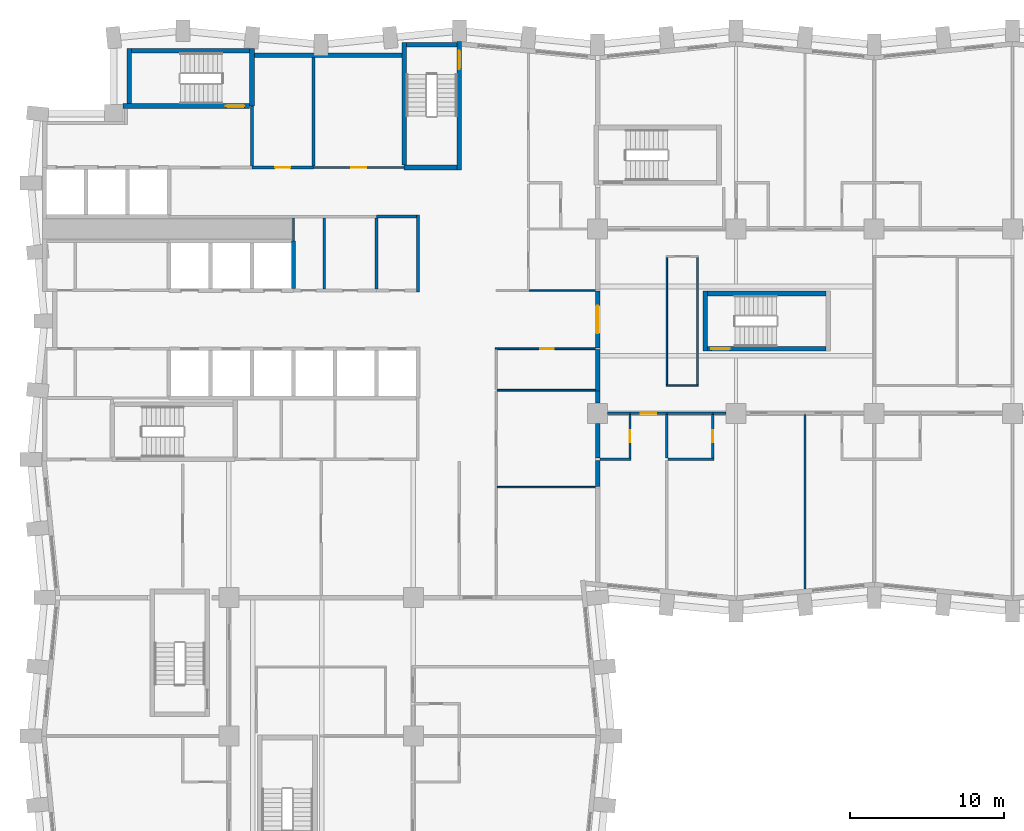
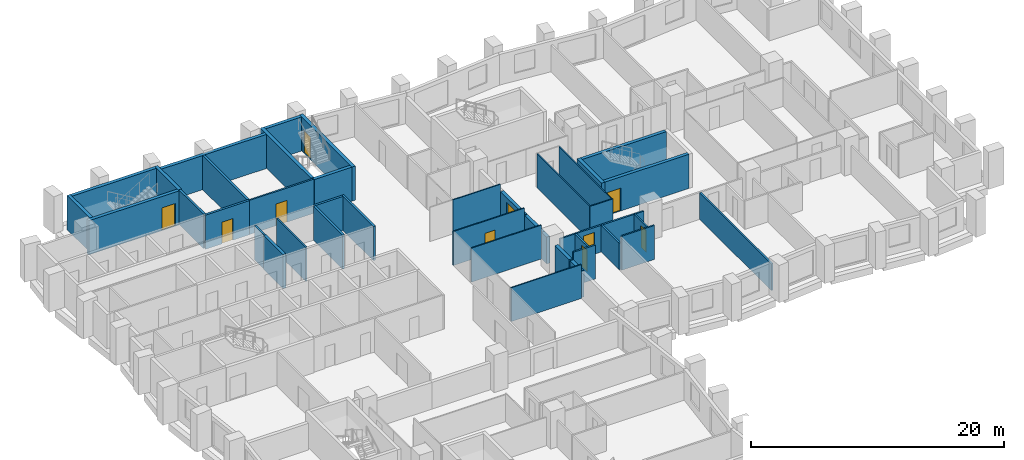
# One storey, part 7 of 13: 44 walls, 10 doors, 10 openings.
"""IFC4 building model written with IfcOpenShell, lengths in metres."""

from ifc_helpers import new_model, si_unit, direction, frame, frame_2d, origin, place, context, subcontext, project, spatial, rectangle, extrude, material, layer, layer_set, type_object, element, fill, save


model = new_model("IFC4")

# Units and contexts
model_context = context("Model", 3, precision=1e-05, world=origin(), true_north=direction((0.0, 1.0)))
body_context = subcontext(model_context, "Body", "Model", "MODEL_VIEW")
ifc_project = project(units=[si_unit("LENGTHUNIT", "METRE"), si_unit("AREAUNIT", "SQUARE_METRE"), si_unit("VOLUMEUNIT", "CUBIC_METRE"), si_unit("PLANEANGLEUNIT", "RADIAN"), si_unit("MASSUNIT", "GRAM", prefix="KILO")], contexts=[model_context])

# Site, building, storey
site_placement = place(None, origin())
site = spatial("IfcSite", under=ifc_project, at=site_placement, CompositionType="ELEMENT")
building_placement = place(site_placement, origin())
building = spatial("IfcBuilding", under=site, at=building_placement, Name="Brondeck Convention Tower", CompositionType="ELEMENT")
storey_placement = place(building_placement, frame((0.0, 0.0, 48.300048828125)))
storey = spatial("IfcBuildingStorey", under=building, at=storey_placement, Name="L09", CompositionType="ELEMENT", Elevation=48.300048828125)

# Walls
ifc_material_1 = material(Name="Concrete compartment wall C30/37", Category="concrete")
ifc_layer_1 = layer(ifc_material_1, 0.300048828125)
ifc_layer_set_1 = layer_set([ifc_layer_1], Name="Compartment wall 300")
wall_type_1 = type_object("IfcWallType", Name="Compartment wall 300", PredefinedType="PARTITIONING", material=ifc_layer_set_1)
wall_1_placement = place(storey_placement, frame((36.0, 35.925048828125, 0.0), z_axis=(0.0, 0.0, 1.0), x_axis=(0.0, -1.0, 0.0)))
element("IfcWall", 1, at=wall_1_placement, inside=storey, type_object=wall_type_1, Name="FLR-L09-W048", PredefinedType="PARTITIONING", context=body_context, shape_type="SweptSolid", body=[
    extrude(rectangle(XDim=1.675048828125, YDim=0.300048828125, at=frame_2d((0.83740234375, 0.0))), origin(), (0.0, 0.0, 1.0), 2.579833984375),
])
wall_2_placement = place(storey_placement, frame((36.0, 38.344970703125, 0.0), z_axis=(0.0, 0.0, 1.0), x_axis=(0.0, -1.0, 0.0)))
element("IfcWall", 2, at=wall_2_placement, inside=storey, type_object=wall_type_1, Name="FLR-L09-W060", PredefinedType="PARTITIONING", context=body_context, shape_type="SweptSolid", body=[
    extrude(rectangle(XDim=2.27001953125, YDim=0.300048828125, at=frame_2d((1.135009765625, 0.0))), origin(), (0.0, 0.0, 1.0), 2.579833984375),
])
wall_3_placement = place(storey_placement, frame((36.0, 40.449951171875, 0.0), z_axis=(0.0, 0.0, 1.0), x_axis=(0.0, -1.0, 0.0)))
element("IfcWall", 3, at=wall_3_placement, inside=storey, type_object=wall_type_1, Name="FLR-L09-W079", PredefinedType="PARTITIONING", context=body_context, shape_type="SweptSolid", body=[
    extrude(rectangle(XDim=0.794921875, YDim=0.300048828125, at=frame_2d((0.3974609375, 0.0))), origin(), (0.0, 0.0, 1.0), 2.579833984375),
])
wall_4_placement = place(storey_placement, frame((36.0, 43.14990234375, 0.0), z_axis=(0.0, 0.0, 1.0), x_axis=(0.0, -1.0, 0.0)))
element("IfcWall", 4, at=wall_4_placement, inside=storey, type_object=wall_type_1, Name="FLR-L09-W086", PredefinedType="PARTITIONING", context=body_context, shape_type="SweptSolid", body=[
    extrude(rectangle(XDim=2.69482421875, YDim=0.300048828125, at=frame_2d((1.347412109375, 0.0))), origin(), (0.0, 0.0, 1.0), 2.579833984375),
])

# Wall, opening, door
wall_5_placement = place(storey_placement, frame((36.0, 46.949951171875, 0.0), z_axis=(0.0, 0.0, 1.0), x_axis=(0.0, -1.0, 0.0)))
wall_5 = element("IfcWall", 5, at=wall_5_placement, inside=storey, type_object=wall_type_1, Name="FLR-L09-W090", PredefinedType="PARTITIONING", context=body_context, shape_type="SweptSolid", body=[
    extrude(rectangle(XDim=3.699951171875, YDim=0.300048828125, at=frame_2d((1.85009765625, 0.0))), origin(), (0.0, 0.0, 1.0), 2.579833984375),
])
opening_1_placement = place(wall_5_placement, frame((0.949951171875, 0.0, 0.0)))
opening_1 = element("IfcOpeningElement", 6, at=opening_1_placement, cuts=wall_5, Name="Opening H2-042", PredefinedType="OPENING", context=body_context, shape_type="SweptSolid", body=[
    extrude(rectangle(XDim=1.800048828125, YDim=2.10009765625, at=frame_2d((0.89990234375, 1.050048828125))), frame((0.0, 0.159912109375, 0.0), z_axis=(0.0, -1.0, 0.0), x_axis=(1.0, 0.0, 0.0)), (0.0, 0.0, 1.0), 0.320068359375),
])
ifc_material_2 = material(Name="Steel fire door pair", Category="steel")
door_type_1 = type_object("IfcDoorType", Name="Fire door pair 1800", OperationType="DOUBLE_DOOR_SINGLE_SWING", PredefinedType="DOOR", material=ifc_material_2)
door_1_placement = place(opening_1_placement, origin())
door_1 = element("IfcDoor", 7, at=door_1_placement, inside=storey, type_object=door_type_1, Name="Door H2-042", OperationType="DOUBLE_DOOR_SINGLE_SWING", OverallHeight=2.10009765625, OverallWidth=1.800048828125, PredefinedType="DOOR", context=body_context, shape_type="SweptSolid", body=[
    extrude(rectangle(XDim=1.800048828125, YDim=2.10009765625, at=frame_2d((0.89990234375, 1.050048828125))), frame((0.0, 0.02490234375, 0.0), z_axis=(0.0, -1.0, 0.0), x_axis=(1.0, 0.0, 0.0)), (0.0, 0.0, 1.0), 0.050048828125),
])
fill(opening_1, door_1)

# Walls
ifc_material_3 = material(Name="Concrete C80/95", Category="concrete")
ifc_layer_2 = layer(ifc_material_3, 0.199951171875)
ifc_layer_set_2 = layer_set([ifc_layer_2], Name="Core beam-seat wall 200 Concrete C80/95")
wall_type_2 = type_object("IfcWallType", Name="Core beam-seat wall 200 Concrete C80/95", PredefinedType="SHEAR", material=ifc_layer_set_2)
wall_6_placement = place(storey_placement, frame((24.300048828125, 46.89990234375, 0.0), z_axis=(0.0, 0.0, 1.0), x_axis=(0.0, 1.0, 0.0)))
element("IfcWall", 8, at=wall_6_placement, inside=storey, type_object=wall_type_2, Name="L09 core wall", PredefinedType="SHEAR", context=body_context, shape_type="SweptSolid", body=[
    extrude(rectangle(XDim=5.0, YDim=0.199951171875, at=frame_2d((2.5, 0.0))), origin(), (0.0, 0.0, 1.0), 3.300048828125),
])
ifc_layer_3 = layer(ifc_material_3, 0.300048828125)
ifc_layer_set_3 = layer_set([ifc_layer_3], Name="Core outer wall 300 Concrete C80/95")
wall_type_3 = type_object("IfcWallType", Name="Core outer wall 300 Concrete C80/95", PredefinedType="SHEAR", material=ifc_layer_set_3)
wall_7_placement = place(storey_placement, frame((13.64990234375, 62.300048828125, 0.0), z_axis=(0.0, 0.0, 1.0), x_axis=(1.0, 0.0, 0.0)))
element("IfcWall", 9, at=wall_7_placement, inside=storey, type_object=wall_type_3, Name="L09 core wall", PredefinedType="SHEAR", context=body_context, shape_type="SweptSolid", body=[
    extrude(rectangle(XDim=9.60009765625, YDim=0.300048828125, at=frame_2d((4.800048828125, 0.0))), origin(), (0.0, 0.0, 1.0), 3.300048828125),
])

# Wall, opening, door
ifc_material_4 = material(Name="Fire-rated gypsum board partition")
ifc_layer_4 = layer(ifc_material_4, 0.14990234375)
ifc_layer_set_4 = layer_set([ifc_layer_4], Name="Core partition 150 EI 60")
wall_type_4 = type_object("IfcWallType", Name="Core partition 150 EI 60", PredefinedType="PARTITIONING", material=ifc_layer_set_4)
wall_8_placement = place(storey_placement, frame((17.5, 55.0, 0.0), z_axis=(0.0, 0.0, 1.0), x_axis=(1.0, 0.0, 0.0)))
wall_8 = element("IfcWall", 10, at=wall_8_placement, inside=storey, type_object=wall_type_4, Name="L09 core wall", PredefinedType="PARTITIONING", context=body_context, shape_type="SweptSolid", body=[
    extrude(rectangle(XDim=5.89990234375, YDim=0.14990234375, at=frame_2d((2.949951171875, 0.0))), origin(), (0.0, 0.0, 1.0), 3.300048828125),
])
opening_2_placement = place(wall_8_placement, frame((2.449951171875, 0.0, 0.0)))
opening_2 = element("IfcOpeningElement", 11, at=opening_2_placement, cuts=wall_8, Name="Opening C09-14", PredefinedType="OPENING", context=body_context, shape_type="SweptSolid", body=[
    extrude(rectangle(XDim=1.0, YDim=2.10009765625, at=frame_2d((0.5, 1.050048828125))), frame((0.0, 0.0849609375, 0.0), z_axis=(0.0, -1.0, 0.0), x_axis=(1.0, 0.0, 0.0)), (0.0, 0.0, 1.0), 0.169921875),
])
ifc_material_5 = material(Name="Steel fire door", Category="steel")
door_type_2 = type_object("IfcDoorType", Name="Room door 1000x2100 EI 60", OperationType="NOTDEFINED", PredefinedType="DOOR", material=ifc_material_5)
door_2_placement = place(opening_2_placement, origin())
door_2 = element("IfcDoor", 12, at=door_2_placement, inside=storey, type_object=door_type_2, Name="L09 Room door NE-2", OperationType="SINGLE_SWING_RIGHT", OverallHeight=2.10009765625, OverallWidth=1.0, PredefinedType="DOOR", context=body_context, shape_type="SweptSolid", body=[
    extrude(rectangle(XDim=1.0, YDim=2.10009765625, at=frame_2d((0.5, 1.050048828125))), frame((0.0, 0.02490234375, 0.0), z_axis=(0.0, -1.0, 0.0), x_axis=(1.0, 0.0, 0.0)), (0.0, 0.0, 1.0), 0.050048828125),
])
fill(opening_2, door_2)

# Walls
wall_9_placement = place(storey_placement, frame((16.199951171875, 50.199951171875, 0.0), z_axis=(0.0, 0.0, 1.0), x_axis=(0.0, 1.0, 0.0)))
element("IfcWall", 13, at=wall_9_placement, inside=storey, type_object=wall_type_4, Name="L09 core wall", PredefinedType="PARTITIONING", context=body_context, shape_type="SweptSolid", body=[
    extrude(rectangle(XDim=1.525146484375, YDim=0.14990234375, at=frame_2d((0.7626953125, 0.0))), origin(), (0.0, 0.0, 1.0), 3.300048828125),
])
wall_10_placement = place(storey_placement, frame((18.199951171875, 47.10009765625, 0.0), z_axis=(0.0, 0.0, 1.0), x_axis=(0.0, 1.0, 0.0)))
element("IfcWall", 14, at=wall_10_placement, inside=storey, type_object=wall_type_4, Name="L09 core wall", PredefinedType="PARTITIONING", context=body_context, shape_type="SweptSolid", body=[
    extrude(rectangle(XDim=4.625, YDim=0.14990234375, at=frame_2d((2.3125, 0.0))), origin(), (0.0, 0.0, 1.0), 3.300048828125),
])
ifc_layer_5 = layer(ifc_material_4, 0.199951171875)
ifc_layer_set_5 = layer_set([ifc_layer_5], Name="Firefighting lobby wall 200 EI 120")
wall_type_5 = type_object("IfcWallType", Name="Firefighting lobby wall 200 EI 120", PredefinedType="PARTITIONING", material=ifc_layer_set_5)
wall_11_placement = place(storey_placement, frame((13.5, 55.10009765625, 0.0), z_axis=(0.0, 0.0, 1.0), x_axis=(0.0, 1.0, 0.0)))
element("IfcWall", 15, at=wall_11_placement, inside=storey, type_object=wall_type_5, Name="L09 core wall", PredefinedType="PARTITIONING", context=body_context, shape_type="SweptSolid", body=[
    extrude(rectangle(XDim=3.89990234375, YDim=0.199951171875, at=frame_2d((1.949951171875, 0.0))), origin(), (0.0, 0.0, 1.0), 3.300048828125),
])
ifc_material_6 = material(Name="Double gypsum board acoustic wall")
ifc_layer_6 = layer(ifc_material_6, 0.14990234375)
ifc_layer_set_6 = layer_set([ifc_layer_6], Name="Guest room party wall 150")
wall_type_6 = type_object("IfcWallType", Name="Guest room party wall 150", PredefinedType="PARTITIONING", material=ifc_layer_set_6)
wall_12_placement = place(storey_placement, frame((36.14990234375, 36.0, 0.0), z_axis=(0.0, 0.0, 1.0), x_axis=(1.0, 0.0, 0.0)))
element("IfcWall", 16, at=wall_12_placement, inside=storey, type_object=wall_type_6, Name="FLR-L09-W051", PredefinedType="PARTITIONING", context=body_context, shape_type="SweptSolid", body=[
    extrude(rectangle(XDim=2.025146484375, YDim=0.14990234375, at=frame_2d((1.0126953125, 0.0))), origin(), (0.0, 0.0, 1.0), 3.280029296875),
])
wall_13_placement = place(storey_placement, frame((40.574951171875, 36.0, 0.0), z_axis=(0.0, 0.0, 1.0), x_axis=(1.0, 0.0, 0.0)))
element("IfcWall", 17, at=wall_13_placement, inside=storey, type_object=wall_type_6, Name="FLR-L09-W052", PredefinedType="PARTITIONING", context=body_context, shape_type="SweptSolid", body=[
    extrude(rectangle(XDim=3.0, YDim=0.14990234375, at=frame_2d((1.5, 0.0))), origin(), (0.0, 0.0, 1.0), 3.280029296875),
])

# Wall, opening, door
wall_14_placement = place(storey_placement, frame((38.10009765625, 36.074951171875, 0.0), z_axis=(0.0, 0.0, 1.0), x_axis=(0.0, 1.0, 0.0)))
wall_14 = element("IfcWall", 18, at=wall_14_placement, inside=storey, type_object=wall_type_6, Name="FLR-L09-W056", PredefinedType="PARTITIONING", context=body_context, shape_type="SweptSolid", body=[
    extrude(rectangle(XDim=2.85009765625, YDim=0.14990234375, at=frame_2d((1.425048828125, 0.0))), origin(), (0.0, 0.0, 1.0), 2.579833984375),
])
opening_3_placement = place(wall_14_placement, frame((1.02490234375, 0.0, 0.0)))
opening_3 = element("IfcOpeningElement", 19, at=opening_3_placement, cuts=wall_14, Name="Opening H2-009", PredefinedType="OPENING", context=body_context, shape_type="SweptSolid", body=[
    extrude(rectangle(XDim=0.800048828125, YDim=2.10009765625, at=frame_2d((0.39990234375, 1.050048828125))), frame((0.0, 0.0849609375, 0.0), z_axis=(0.0, -1.0, 0.0), x_axis=(1.0, 0.0, 0.0)), (0.0, 0.0, 1.0), 0.169921875),
])
ifc_material_7 = material(Name="Solid timber door leaf", Category="wood")
door_type_3 = type_object("IfcDoorType", Name="En-suite door 800", OperationType="NOTDEFINED", PredefinedType="DOOR", material=ifc_material_7)
door_3_placement = place(opening_3_placement, origin())
door_3 = element("IfcDoor", 20, at=door_3_placement, inside=storey, type_object=door_type_3, Name="Door H2-009", OperationType="SINGLE_SWING_LEFT", OverallHeight=2.10009765625, OverallWidth=0.800048828125, PredefinedType="DOOR", context=body_context, shape_type="SweptSolid", body=[
    extrude(rectangle(XDim=0.800048828125, YDim=2.10009765625, at=frame_2d((0.39990234375, 1.050048828125))), frame((0.0, 0.02490234375, 0.0), z_axis=(0.0, -1.0, 0.0), x_axis=(1.0, 0.0, 0.0)), (0.0, 0.0, 1.0), 0.050048828125),
])
fill(opening_3, door_3)

wall_15_placement = place(storey_placement, frame((43.5, 36.074951171875, 0.0), z_axis=(0.0, 0.0, 1.0), x_axis=(0.0, 1.0, 0.0)))
wall_15 = element("IfcWall", 21, at=wall_15_placement, inside=storey, type_object=wall_type_6, Name="FLR-L09-W057", PredefinedType="PARTITIONING", context=body_context, shape_type="SweptSolid", body=[
    extrude(rectangle(XDim=2.85009765625, YDim=0.14990234375, at=frame_2d((1.425048828125, 0.0))), origin(), (0.0, 0.0, 1.0), 2.579833984375),
])
opening_4_placement = place(wall_15_placement, frame((1.02490234375, 0.0, 0.0)))
opening_4 = element("IfcOpeningElement", 22, at=opening_4_placement, cuts=wall_15, Name="Opening H2-011", PredefinedType="OPENING", context=body_context, shape_type="SweptSolid", body=[
    extrude(rectangle(XDim=0.800048828125, YDim=2.10009765625, at=frame_2d((0.39990234375, 1.050048828125))), frame((0.0, 0.0849609375, 0.0), z_axis=(0.0, -1.0, 0.0), x_axis=(1.0, 0.0, 0.0)), (0.0, 0.0, 1.0), 0.169921875),
])
door_4_placement = place(opening_4_placement, origin())
door_4 = element("IfcDoor", 23, at=door_4_placement, inside=storey, type_object=door_type_3, Name="Door H2-011", OperationType="SINGLE_SWING_RIGHT", OverallHeight=2.10009765625, OverallWidth=0.800048828125, PredefinedType="DOOR", context=body_context, shape_type="SweptSolid", body=[
    extrude(rectangle(XDim=0.800048828125, YDim=2.10009765625, at=frame_2d((0.39990234375, 1.050048828125))), frame((0.0, 0.02490234375, 0.0), z_axis=(0.0, -1.0, 0.0), x_axis=(1.0, 0.0, 0.0)), (0.0, 0.0, 1.0), 0.050048828125),
])
fill(opening_4, door_4)

# Walls
wall_16_placement = place(storey_placement, frame((40.5, 38.925048828125, 0.0), z_axis=(0.0, 0.0, 1.0), x_axis=(0.0, -1.0, 0.0)))
element("IfcWall", 24, at=wall_16_placement, inside=storey, type_object=wall_type_6, Name="FLR-L09-W063", PredefinedType="PARTITIONING", context=body_context, shape_type="SweptSolid", body=[
    extrude(rectangle(XDim=2.85009765625, YDim=0.14990234375, at=frame_2d((1.425048828125, 0.0))), origin(), (0.0, 0.0, 1.0), 2.579833984375),
])
wall_17_placement = place(storey_placement, frame((49.5, 38.925048828125, 0.0), z_axis=(0.0, 0.0, 1.0), x_axis=(0.0, -1.0, 0.0)))
element("IfcWall", 25, at=wall_17_placement, inside=storey, type_object=wall_type_6, Name="FLR-L09-W064", PredefinedType="PARTITIONING", context=body_context, shape_type="SweptSolid", body=[
    extrude(rectangle(XDim=11.35009765625, YDim=0.14990234375, at=frame_2d((5.675048828125, 0.0))), origin(), (0.0, 0.0, 1.0), 2.579833984375),
])
wall_18_placement = place(storey_placement, frame((38.10009765625, 39.0, 0.0), z_axis=(0.0, 0.0, 1.0), x_axis=(-1.0, 0.0, 0.0)))
element("IfcWall", 26, at=wall_18_placement, inside=storey, type_object=wall_type_6, Name="FLR-L09-W067", PredefinedType="PARTITIONING", context=body_context, shape_type="SweptSolid", body=[
    extrude(rectangle(XDim=1.445068359375, YDim=0.14990234375, at=frame_2d((0.72265625, 0.0))), origin(), (0.0, 0.0, 1.0), 2.579833984375),
])

# Wall, opening, door
wall_19_placement = place(storey_placement, frame((40.5, 39.0, 0.0), z_axis=(0.0, 0.0, 1.0), x_axis=(-1.0, 0.0, 0.0)))
wall_19 = element("IfcWall", 27, at=wall_19_placement, inside=storey, type_object=wall_type_6, Name="FLR-L09-W068", PredefinedType="PARTITIONING", context=body_context, shape_type="SweptSolid", body=[
    extrude(rectangle(XDim=2.39990234375, YDim=0.14990234375, at=frame_2d((1.199951171875, 0.0))), origin(), (0.0, 0.0, 1.0), 2.579833984375),
])
opening_5_placement = place(wall_19_placement, frame((0.699951171875, 0.0, 0.0)))
opening_5 = element("IfcOpeningElement", 28, at=opening_5_placement, cuts=wall_19, Name="Opening H2-008", PredefinedType="OPENING", context=body_context, shape_type="SweptSolid", body=[
    extrude(rectangle(XDim=1.0, YDim=2.10009765625, at=frame_2d((0.5, 1.050048828125))), frame((0.0, 0.0849609375, 0.0), z_axis=(0.0, -1.0, 0.0), x_axis=(1.0, 0.0, 0.0)), (0.0, 0.0, 1.0), 0.169921875),
])
ifc_material_8 = material(Name="Solid timber fire door leaf", Category="wood")
door_type_4 = type_object("IfcDoorType", Name="Guest room door 1000", OperationType="NOTDEFINED", PredefinedType="DOOR", material=ifc_material_8)
door_5_placement = place(opening_5_placement, origin())
door_5 = element("IfcDoor", 29, at=door_5_placement, inside=storey, type_object=door_type_4, Name="Door H2-008", OperationType="SINGLE_SWING_LEFT", OverallHeight=2.10009765625, OverallWidth=1.0, PredefinedType="DOOR", context=body_context, shape_type="SweptSolid", body=[
    extrude(rectangle(XDim=1.0, YDim=2.10009765625, at=frame_2d((0.5, 1.050048828125))), frame((0.0, 0.02490234375, 0.0), z_axis=(0.0, -1.0, 0.0), x_axis=(1.0, 0.0, 0.0)), (0.0, 0.0, 1.0), 0.050048828125),
])
fill(opening_5, door_5)

# Walls
wall_20_placement = place(storey_placement, frame((43.5, 39.0, 0.0), z_axis=(0.0, 0.0, 1.0), x_axis=(-1.0, 0.0, 0.0)))
element("IfcWall", 30, at=wall_20_placement, inside=storey, type_object=wall_type_6, Name="FLR-L09-W069", PredefinedType="PARTITIONING", context=body_context, shape_type="SweptSolid", body=[
    extrude(rectangle(XDim=3.0, YDim=0.14990234375, at=frame_2d((1.5, 0.0))), origin(), (0.0, 0.0, 1.0), 2.579833984375),
])
wall_21_placement = place(storey_placement, frame((44.344970703125, 39.0, 0.0), z_axis=(0.0, 0.0, 1.0), x_axis=(-1.0, 0.0, 0.0)))
element("IfcWall", 31, at=wall_21_placement, inside=storey, type_object=wall_type_6, Name="FLR-L09-W070", PredefinedType="PARTITIONING", context=body_context, shape_type="SweptSolid", body=[
    extrude(rectangle(XDim=0.844970703125, YDim=0.14990234375, at=frame_2d((0.42236328125, 0.0))), origin(), (0.0, 0.0, 1.0), 2.579833984375),
])
ifc_layer_7 = layer(ifc_material_3, 0.25)
ifc_layer_set_7 = layer_set([ifc_layer_7], Name="Lift shaft wall 250 Concrete C80/95")
wall_type_7 = type_object("IfcWallType", Name="Lift shaft wall 250 Concrete C80/95", PredefinedType="SHEAR", material=ifc_layer_set_7)
wall_22_placement = place(storey_placement, frame((16.199951171875, 47.125, 0.0), z_axis=(0.0, 0.0, 1.0), x_axis=(0.0, 1.0, 0.0)))
element("IfcWall", 32, at=wall_22_placement, inside=storey, type_object=wall_type_7, Name="L09 core wall", PredefinedType="SHEAR", context=body_context, shape_type="SweptSolid", body=[
    extrude(rectangle(XDim=3.074951171875, YDim=0.25, at=frame_2d((1.53759765625, 0.0))), origin(), (0.0, 0.0, 1.0), 3.300048828125),
])
ifc_layer_8 = layer(ifc_material_4, 0.199951171875)
ifc_layer_set_8 = layer_set([ifc_layer_8], Name="Riser wall 200 EI 120")
wall_type_8 = type_object("IfcWallType", Name="Riser wall 200 EI 120", PredefinedType="PARTITIONING", material=ifc_layer_set_8)
wall_23_placement = place(storey_placement, frame((21.60009765625, 51.800048828125, 0.0), z_axis=(0.0, 0.0, 1.0), x_axis=(1.0, 0.0, 0.0)))
element("IfcWall", 33, at=wall_23_placement, inside=storey, type_object=wall_type_8, Name="L09 core wall", PredefinedType="PARTITIONING", context=body_context, shape_type="SweptSolid", body=[
    extrude(rectangle(XDim=2.599853515625, YDim=0.199951171875, at=frame_2d((1.2998046875, 0.0))), origin(), (0.0, 0.0, 1.0), 3.300048828125),
])

# Wall, opening, door
wall_24_placement = place(storey_placement, frame((13.5, 55.0, 0.0), z_axis=(0.0, 0.0, 1.0), x_axis=(1.0, 0.0, 0.0)))
wall_24 = element("IfcWall", 34, at=wall_24_placement, inside=storey, type_object=wall_type_8, Name="L09 core wall", PredefinedType="PARTITIONING", context=body_context, shape_type="SweptSolid", body=[
    extrude(rectangle(XDim=4.0, YDim=0.199951171875, at=frame_2d((2.0, 0.0))), origin(), (0.0, 0.0, 1.0), 3.300048828125),
])
opening_6_placement = place(wall_24_placement, frame((1.5, 0.0, 0.0)))
opening_6 = element("IfcOpeningElement", 35, at=opening_6_placement, cuts=wall_24, Name="Opening C09-13", PredefinedType="OPENING", context=body_context, shape_type="SweptSolid", body=[
    extrude(rectangle(XDim=1.0, YDim=2.10009765625, at=frame_2d((0.5, 1.050048828125))), frame((0.0, 0.10986328125, 0.0), z_axis=(0.0, -1.0, 0.0), x_axis=(1.0, 0.0, 0.0)), (0.0, 0.0, 1.0), 0.219970703125),
])
door_type_5 = type_object("IfcDoorType", Name="Riser door 1000x2100 EI 120", OperationType="NOTDEFINED", PredefinedType="DOOR", material=ifc_material_5)
door_6_placement = place(opening_6_placement, origin())
door_6 = element("IfcDoor", 36, at=door_6_placement, inside=storey, type_object=door_type_5, Name="L09 Riser door NE-1", OperationType="SINGLE_SWING_LEFT", OverallHeight=2.10009765625, OverallWidth=1.0, PredefinedType="DOOR", context=body_context, shape_type="SweptSolid", body=[
    extrude(rectangle(XDim=1.0, YDim=2.10009765625, at=frame_2d((0.5, 1.050048828125))), frame((0.0, 0.02490234375, 0.0), z_axis=(0.0, -1.0, 0.0), x_axis=(1.0, 0.0, 0.0)), (0.0, 0.0, 1.0), 0.050048828125),
])
fill(opening_6, door_6)

# Walls
wall_25_placement = place(storey_placement, frame((17.5, 55.10009765625, 0.0), z_axis=(0.0, 0.0, 1.0), x_axis=(0.0, 1.0, 0.0)))
element("IfcWall", 37, at=wall_25_placement, inside=storey, type_object=wall_type_8, Name="L09 core wall", PredefinedType="PARTITIONING", context=body_context, shape_type="SweptSolid", body=[
    extrude(rectangle(XDim=7.0498046875, YDim=0.199951171875, at=frame_2d((3.52490234375, 0.0))), origin(), (0.0, 0.0, 1.0), 3.300048828125),
])
wall_26_placement = place(storey_placement, frame((21.60009765625, 47.10009765625, 0.0), z_axis=(0.0, 0.0, 1.0), x_axis=(0.0, 1.0, 0.0)))
element("IfcWall", 38, at=wall_26_placement, inside=storey, type_object=wall_type_8, Name="L09 core wall", PredefinedType="PARTITIONING", context=body_context, shape_type="SweptSolid", body=[
    extrude(rectangle(XDim=4.599853515625, YDim=0.199951171875, at=frame_2d((2.2998046875, 0.0))), origin(), (0.0, 0.0, 1.0), 3.300048828125),
])
ifc_material_9 = material(Name="Gypsum board partition on steel studs", Category="steel")
ifc_layer_9 = layer(ifc_material_9, 0.10009765625)
ifc_layer_set_9 = layer_set([ifc_layer_9], Name="Room partition 100")
wall_type_9 = type_object("IfcWallType", Name="Room partition 100", PredefinedType="PARTITIONING", material=ifc_layer_set_9)
for number, where, z_axis, x_axis, name in (
    (39, (35.85009765625, 34.199951171875, 0.0), (0.0, 0.0, 1.0), (-1.0, 0.0, 0.0), "FLR-L09-W045"),
    (40, (35.85009765625, 40.5, 0.0), (0.0, 0.0, 1.0), (-1.0, 0.0, 0.0), "FLR-L09-W080"),
):
    element("IfcWall", number, at=place(storey_placement, frame(where, z_axis=z_axis, x_axis=x_axis)), inside=storey, type_object=wall_type_9, Name=name, PredefinedType="PARTITIONING", context=body_context, shape_type="SweptSolid", body=[
        extrude(rectangle(XDim=6.400146484375, YDim=0.10009765625, at=frame_2d((3.2001953125, 0.0))), origin(), (0.0, 0.0, 1.0), 3.280029296875),
    ])
wall_27_placement = place(storey_placement, frame((40.449951171875, 40.800048828125, 0.0), z_axis=(0.0, 0.0, 1.0), x_axis=(1.0, 0.0, 0.0)))
element("IfcWall", 41, at=wall_27_placement, inside=storey, type_object=wall_type_9, Name="FLR-L09-W081", PredefinedType="PARTITIONING", context=body_context, shape_type="SweptSolid", body=[
    extrude(rectangle(XDim=2.10009765625, YDim=0.10009765625, at=frame_2d((1.050048828125, 0.0))), origin(), (0.0, 0.0, 1.0), 3.280029296875),
])

# Wall, opening, door
wall_28_placement = place(storey_placement, frame((35.85009765625, 43.199951171875, 0.0), z_axis=(0.0, 0.0, 1.0), x_axis=(-1.0, 0.0, 0.0)))
wall_28 = element("IfcWall", 42, at=wall_28_placement, inside=storey, type_object=wall_type_9, Name="FLR-L09-W087", PredefinedType="PARTITIONING", context=body_context, shape_type="SweptSolid", body=[
    extrude(rectangle(XDim=6.5, YDim=0.10009765625, at=frame_2d((3.25, 0.0))), origin(), (0.0, 0.0, 1.0), 3.280029296875),
])
opening_7_placement = place(wall_28_placement, frame((2.699951171875, 0.0, 0.0)))
opening_7 = element("IfcOpeningElement", 43, at=opening_7_placement, cuts=wall_28, Name="Opening H2-036", PredefinedType="OPENING", context=body_context, shape_type="SweptSolid", body=[
    extrude(rectangle(XDim=0.89990234375, YDim=2.10009765625, at=frame_2d((0.449951171875, 1.050048828125))), frame((0.0, 0.06005859375, 0.0), z_axis=(0.0, -1.0, 0.0), x_axis=(1.0, 0.0, 0.0)), (0.0, 0.0, 1.0), 0.1201171875),
])
door_type_6 = type_object("IfcDoorType", Name="Single door 900", OperationType="NOTDEFINED", PredefinedType="DOOR", material=ifc_material_7)
door_7_placement = place(opening_7_placement, origin())
door_7 = element("IfcDoor", 44, at=door_7_placement, inside=storey, type_object=door_type_6, Name="Door H2-036", OperationType="SINGLE_SWING_LEFT", OverallHeight=2.10009765625, OverallWidth=0.89990234375, PredefinedType="DOOR", context=body_context, shape_type="SweptSolid", body=[
    extrude(rectangle(XDim=0.89990234375, YDim=2.10009765625, at=frame_2d((0.449951171875, 1.050048828125))), frame((0.0, 0.02490234375, 0.0), z_axis=(0.0, -1.0, 0.0), x_axis=(1.0, 0.0, 0.0)), (0.0, 0.0, 1.0), 0.050048828125),
])
fill(opening_7, door_7)

# Walls
wall_29_placement = place(storey_placement, frame((31.5, 47.0, 0.0), z_axis=(0.0, 0.0, 1.0), x_axis=(1.0, 0.0, 0.0)))
element("IfcWall", 45, at=wall_29_placement, inside=storey, type_object=wall_type_9, Name="FLR-L09-W092", PredefinedType="PARTITIONING", context=body_context, shape_type="SweptSolid", body=[
    extrude(rectangle(XDim=4.35009765625, YDim=0.10009765625, at=frame_2d((2.175048828125, 0.0))), origin(), (0.0, 0.0, 1.0), 3.280029296875),
])
for number, where, z_axis, x_axis, name in (
    (46, (40.5, 49.14990234375, 0.0), (0.0, 0.0, 1.0), (0.0, -1.0, 0.0), "FLR-L09-W094"),
    (47, (42.5, 49.14990234375, 0.0), (0.0, 0.0, 1.0), (0.0, -1.0, 0.0), "FLR-L09-W095"),
):
    element("IfcWall", number, at=place(storey_placement, frame(where, z_axis=z_axis, x_axis=x_axis)), inside=storey, type_object=wall_type_9, Name=name, PredefinedType="PARTITIONING", context=body_context, shape_type="SweptSolid", body=[
        extrude(rectangle(XDim=8.2998046875, YDim=0.10009765625, at=frame_2d((4.14990234375, 0.0))), origin(), (0.0, 0.0, 1.0), 3.280029296875),
    ])

# Wall, opening, door
ifc_layer_10 = layer(ifc_material_3, 0.300048828125)
ifc_layer_set_10 = layer_set([ifc_layer_10], Name="Stair enclosure wall 300 Concrete C80/95")
wall_type_10 = type_object("IfcWallType", Name="Stair enclosure wall 300 Concrete C80/95", PredefinedType="SHEAR", material=ifc_layer_set_10)
wall_30_placement = place(storey_placement, frame((43.14990234375, 43.199951171875, 0.0), z_axis=(0.0, 0.0, 1.0), x_axis=(1.0, 0.0, 0.0)))
wall_30 = element("IfcWall", 48, at=wall_30_placement, inside=storey, type_object=wall_type_10, Name="L09 core wall", PredefinedType="SHEAR", context=body_context, shape_type="SweptSolid", body=[
    extrude(rectangle(XDim=7.7001953125, YDim=0.300048828125, at=frame_2d((3.85009765625, 0.0))), origin(), (0.0, 0.0, 1.0), 3.300048828125),
])
opening_8_placement = place(wall_30_placement, frame((0.25, 0.0, 0.0)))
opening_8 = element("IfcOpeningElement", 49, at=opening_8_placement, cuts=wall_30, Name="Opening C09-19", PredefinedType="OPENING", context=body_context, shape_type="SweptSolid", body=[
    extrude(rectangle(XDim=1.199951171875, YDim=2.199951171875, at=frame_2d((0.60009765625, 1.10009765625))), frame((0.0, 0.159912109375, 0.0), z_axis=(0.0, -1.0, 0.0), x_axis=(1.0, 0.0, 0.0)), (0.0, 0.0, 1.0), 0.320068359375),
])
door_type_7 = type_object("IfcDoorType", Name="Stair door 1200x2200 EI 90", OperationType="NOTDEFINED", PredefinedType="DOOR", material=ifc_material_5)
door_8_placement = place(opening_8_placement, origin())
door_8 = element("IfcDoor", 50, at=door_8_placement, inside=storey, type_object=door_type_7, Name="L09 Stair door ST-AF", OperationType="SINGLE_SWING_RIGHT", OverallHeight=2.199951171875, OverallWidth=1.199951171875, PredefinedType="DOOR", context=body_context, shape_type="SweptSolid", body=[
    extrude(rectangle(XDim=1.199951171875, YDim=2.199951171875, at=frame_2d((0.60009765625, 1.10009765625))), frame((0.0, 0.02490234375, 0.0), z_axis=(0.0, -1.0, 0.0), x_axis=(1.0, 0.0, 0.0)), (0.0, 0.0, 1.0), 0.050048828125),
])
fill(opening_8, door_8)

# Walls
wall_31_placement = place(storey_placement, frame((43.14990234375, 46.800048828125, 0.0), z_axis=(0.0, 0.0, 1.0), x_axis=(1.0, 0.0, 0.0)))
element("IfcWall", 51, at=wall_31_placement, inside=storey, type_object=wall_type_10, Name="L09 core wall", PredefinedType="SHEAR", context=body_context, shape_type="SweptSolid", body=[
    extrude(rectangle(XDim=7.7001953125, YDim=0.300048828125, at=frame_2d((3.85009765625, 0.0))), origin(), (0.0, 0.0, 1.0), 3.300048828125),
])
wall_32_placement = place(storey_placement, frame((23.39990234375, 55.0, 0.0), z_axis=(0.0, 0.0, 1.0), x_axis=(1.0, 0.0, 0.0)))
element("IfcWall", 52, at=wall_32_placement, inside=storey, type_object=wall_type_10, Name="L09 core wall", PredefinedType="SHEAR", context=body_context, shape_type="SweptSolid", body=[
    extrude(rectangle(XDim=3.4501953125, YDim=0.300048828125, at=frame_2d((1.72509765625, 0.0))), origin(), (0.0, 0.0, 1.0), 3.300048828125),
])

# Wall, opening, door
wall_33_placement = place(storey_placement, frame((5.10009765625, 59.0, 0.0), z_axis=(0.0, 0.0, 1.0), x_axis=(1.0, 0.0, 0.0)))
wall_33 = element("IfcWall", 53, at=wall_33_placement, inside=storey, type_object=wall_type_10, Name="L09 core wall", PredefinedType="SHEAR", context=body_context, shape_type="SweptSolid", body=[
    extrude(rectangle(XDim=8.25, YDim=0.300048828125, at=frame_2d((4.125, 0.0))), origin(), (0.0, 0.0, 1.0), 3.300048828125),
])
opening_9_placement = place(wall_33_placement, frame((6.699951171875, 0.0, 0.0)))
opening_9 = element("IfcOpeningElement", 54, at=opening_9_placement, cuts=wall_33, Name="Opening C09-17", PredefinedType="OPENING", context=body_context, shape_type="SweptSolid", body=[
    extrude(rectangle(XDim=1.199951171875, YDim=2.199951171875, at=frame_2d((0.60009765625, 1.10009765625))), frame((0.0, 0.159912109375, 0.0), z_axis=(0.0, -1.0, 0.0), x_axis=(1.0, 0.0, 0.0)), (0.0, 0.0, 1.0), 0.320068359375),
])
door_type_8 = type_object("IfcDoorType", Name="Stair door 1200x2200 EI 120", OperationType="NOTDEFINED", PredefinedType="DOOR", material=ifc_material_5)
door_9_placement = place(opening_9_placement, origin())
door_9 = element("IfcDoor", 55, at=door_9_placement, inside=storey, type_object=door_type_8, Name="L09 Stair door ST-3", OperationType="SINGLE_SWING_RIGHT", OverallHeight=2.199951171875, OverallWidth=1.199951171875, PredefinedType="DOOR", context=body_context, shape_type="SweptSolid", body=[
    extrude(rectangle(XDim=1.199951171875, YDim=2.199951171875, at=frame_2d((0.60009765625, 1.10009765625))), frame((0.0, 0.02490234375, 0.0), z_axis=(0.0, -1.0, 0.0), x_axis=(1.0, 0.0, 0.0)), (0.0, 0.0, 1.0), 0.050048828125),
])
fill(opening_9, door_9)

# Walls
wall_34_placement = place(storey_placement, frame((5.64990234375, 62.60009765625, 0.0), z_axis=(0.0, 0.0, 1.0), x_axis=(1.0, 0.0, 0.0)))
element("IfcWall", 56, at=wall_34_placement, inside=storey, type_object=wall_type_10, Name="L09 core wall", PredefinedType="SHEAR", context=body_context, shape_type="SweptSolid", body=[
    extrude(rectangle(XDim=7.7001953125, YDim=0.300048828125, at=frame_2d((3.85009765625, 0.0))), origin(), (0.0, 0.0, 1.0), 3.300048828125),
])
wall_35_placement = place(storey_placement, frame((23.550048828125, 63.0, 0.0), z_axis=(0.0, 0.0, 1.0), x_axis=(1.0, 0.0, 0.0)))
element("IfcWall", 57, at=wall_35_placement, inside=storey, type_object=wall_type_10, Name="L09 core wall", PredefinedType="SHEAR", context=body_context, shape_type="SweptSolid", body=[
    extrude(rectangle(XDim=3.300048828125, YDim=0.300048828125, at=frame_2d((1.64990234375, 0.0))), origin(), (0.0, 0.0, 1.0), 3.300048828125),
])
wall_36_placement = place(storey_placement, frame((5.5, 59.14990234375, 0.0), z_axis=(0.0, 0.0, 1.0), x_axis=(0.0, 1.0, 0.0)))
element("IfcWall", 58, at=wall_36_placement, inside=storey, type_object=wall_type_10, Name="L09 core wall", PredefinedType="SHEAR", context=body_context, shape_type="SweptSolid", body=[
    extrude(rectangle(XDim=3.60009765625, YDim=0.300048828125, at=frame_2d((1.800048828125, 0.0))), origin(), (0.0, 0.0, 1.0), 3.300048828125),
])
wall_37_placement = place(storey_placement, frame((13.5, 59.0, 0.0), z_axis=(0.0, 0.0, 1.0), x_axis=(0.0, 1.0, 0.0)))
element("IfcWall", 59, at=wall_37_placement, inside=storey, type_object=wall_type_10, Name="L09 core wall", PredefinedType="SHEAR", context=body_context, shape_type="SweptSolid", body=[
    extrude(rectangle(XDim=3.75, YDim=0.300048828125, at=frame_2d((1.875, 0.0))), origin(), (0.0, 0.0, 1.0), 3.300048828125),
])
wall_38_placement = place(storey_placement, frame((23.39990234375, 55.14990234375, 0.0), z_axis=(0.0, 0.0, 1.0), x_axis=(0.0, 1.0, 0.0)))
element("IfcWall", 60, at=wall_38_placement, inside=storey, type_object=wall_type_10, Name="L09 core wall", PredefinedType="SHEAR", context=body_context, shape_type="SweptSolid", body=[
    extrude(rectangle(XDim=8.0, YDim=0.300048828125, at=frame_2d((4.0, 0.0))), origin(), (0.0, 0.0, 1.0), 3.300048828125),
])

# Wall, opening, door
wall_39_placement = place(storey_placement, frame((27.0, 54.85009765625, 0.0), z_axis=(0.0, 0.0, 1.0), x_axis=(0.0, 1.0, 0.0)))
wall_39 = element("IfcWall", 61, at=wall_39_placement, inside=storey, type_object=wall_type_10, Name="L09 core wall", PredefinedType="SHEAR", context=body_context, shape_type="SweptSolid", body=[
    extrude(rectangle(XDim=8.349853515625, YDim=0.300048828125, at=frame_2d((4.1748046875, 0.0))), origin(), (0.0, 0.0, 1.0), 3.300048828125),
])
opening_10_placement = place(wall_39_placement, frame((6.550048828125, 0.0, 0.0)))
opening_10 = element("IfcOpeningElement", 62, at=opening_10_placement, cuts=wall_39, Name="Opening C09-16", PredefinedType="OPENING", context=body_context, shape_type="SweptSolid", body=[
    extrude(rectangle(XDim=1.199951171875, YDim=2.199951171875, at=frame_2d((0.60009765625, 1.10009765625))), frame((0.0, 0.159912109375, 0.0), z_axis=(0.0, -1.0, 0.0), x_axis=(1.0, 0.0, 0.0)), (0.0, 0.0, 1.0), 0.320068359375),
])
door_10_placement = place(opening_10_placement, origin())
door_10 = element("IfcDoor", 63, at=door_10_placement, inside=storey, type_object=door_type_7, Name="L09 Stair door ST-2", OperationType="SINGLE_SWING_LEFT", OverallHeight=2.199951171875, OverallWidth=1.199951171875, PredefinedType="DOOR", context=body_context, shape_type="SweptSolid", body=[
    extrude(rectangle(XDim=1.199951171875, YDim=2.199951171875, at=frame_2d((0.60009765625, 1.10009765625))), frame((0.0, 0.02490234375, 0.0), z_axis=(0.0, -1.0, 0.0), x_axis=(1.0, 0.0, 0.0)), (0.0, 0.0, 1.0), 0.050048828125),
])
fill(opening_10, door_10)

# Wall
wall_40_placement = place(storey_placement, frame((43.0, 43.050048828125, 0.0), z_axis=(0.0, 0.0, 1.0), x_axis=(0.0, 1.0, 0.0)))
element("IfcWall", 64, at=wall_40_placement, inside=storey, type_object=wall_type_10, Name="L09 core wall", PredefinedType="SHEAR", context=body_context, shape_type="SweptSolid", body=[
    extrude(rectangle(XDim=3.89990234375, YDim=0.300048828125, at=frame_2d((1.949951171875, 0.0))), origin(), (0.0, 0.0, 1.0), 3.300048828125),
])

save(model, "model.ifc")
